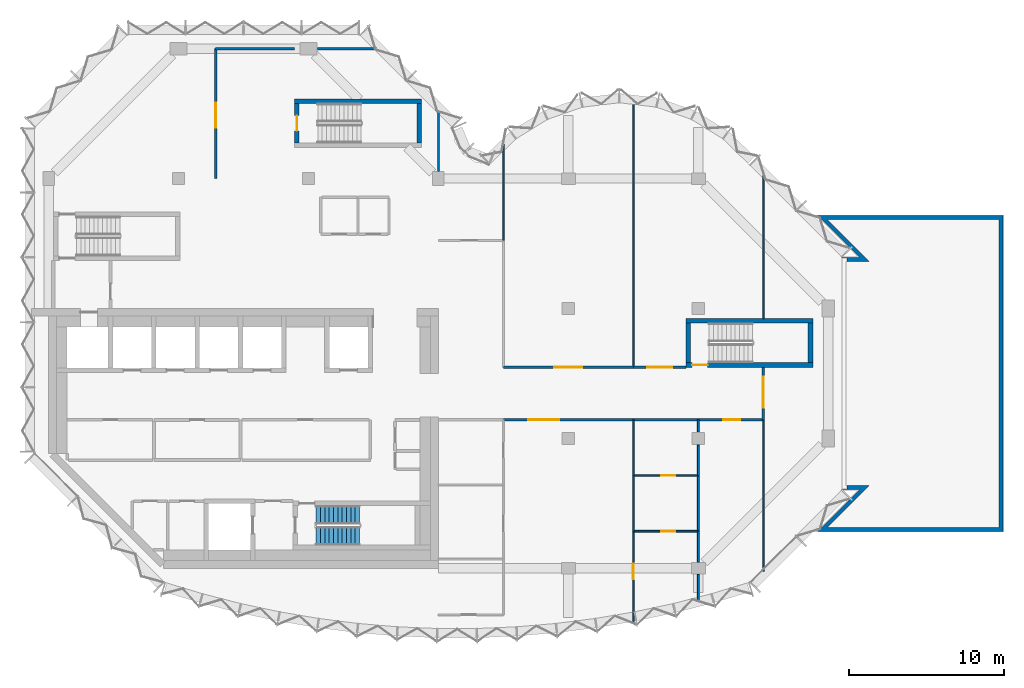
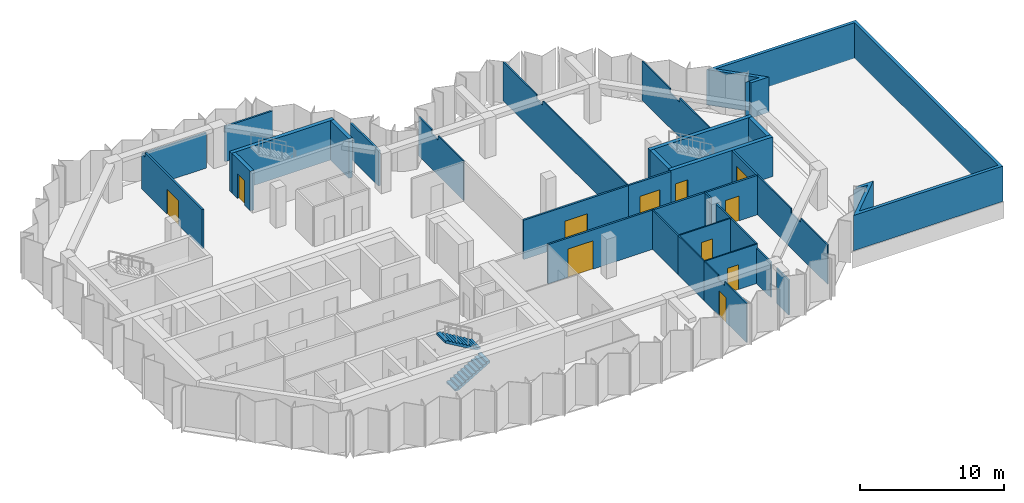
# One storey, part 6 of 9: 32 walls, 11 doors, 2 stair flights, 11 openings, 1 element without a shape of its own.
"""IFC4 building model written with IfcOpenShell, lengths in metres."""

from ifc_helpers import new_model, si_unit, direction, frame, frame_2d, origin, place, context, subcontext, project, spatial, polyline, rectangle, outline, extrude, material, layer, layer_set, type_object, element, fill, aggregate, save


model = new_model("IFC4")

# Units and contexts
model_context = context("Model", 3, precision=1e-05, world=origin(), true_north=direction((0.0, 1.0)))
body_context = subcontext(model_context, "Body", "Model", "MODEL_VIEW")
ifc_project = project(units=[si_unit("LENGTHUNIT", "METRE"), si_unit("AREAUNIT", "SQUARE_METRE"), si_unit("VOLUMEUNIT", "CUBIC_METRE"), si_unit("PLANEANGLEUNIT", "RADIAN"), si_unit("MASSUNIT", "GRAM", prefix="KILO")], contexts=[model_context])

# Site, building, storey
site_placement = place(None, origin())
site = spatial("IfcSite", under=ifc_project, at=site_placement, CompositionType="ELEMENT")
building_placement = place(site_placement, origin())
building = spatial("IfcBuilding", under=site, at=building_placement, Name="Brevane Broadcast Tower", CompositionType="ELEMENT")
storey_placement = place(building_placement, frame((0.0, 0.0, 222.89990234375)))
storey = spatial("IfcBuildingStorey", under=building, at=storey_placement, Name="L56", CompositionType="ELEMENT", Elevation=222.89990234375)

# Wall
ifc_material_1 = material(Name="Concrete C50/60", Category="concrete")
ifc_layer_1 = layer(ifc_material_1, 0.300048828125)
ifc_layer_set_1 = layer_set([ifc_layer_1], Name="Core wall 300 mm C50/60")
wall_type_1 = type_object("IfcWallType", Name="Core wall 300 mm C50/60", PredefinedType="SHEAR", material=ifc_layer_set_1)
wall_1_placement = place(storey_placement, frame((15.89990234375, 30.199951171875, 0.0), z_axis=(0.0, 0.0, 1.0), x_axis=(1.0, 0.0, 0.0)))
element("IfcWall", 1, at=wall_1_placement, inside=storey, type_object=wall_type_1, Name="L56 stair wall ST-3-N", PredefinedType="SHEAR", context=body_context, shape_type="SweptSolid", body=[
    extrude(rectangle(XDim=8.2001953125, YDim=0.300048828125, at=frame_2d((4.10009765625, 0.0))), origin(), (0.0, 0.0, 1.0), 3.35009765625),
])

# Wall, opening, door
wall_2_placement = place(storey_placement, frame((16.050048828125, 27.5, 0.0), z_axis=(0.0, 0.0, 1.0), x_axis=(0.0, 1.0, 0.0)))
wall_2 = element("IfcWall", 2, at=wall_2_placement, inside=storey, type_object=wall_type_1, Name="L56 stair wall ST-3-W", PredefinedType="SHEAR", context=body_context, shape_type="SweptSolid", body=[
    extrude(rectangle(XDim=2.550048828125, YDim=0.300048828125, at=frame_2d((1.27490234375, 0.0))), origin(), (0.0, 0.0, 1.0), 3.35009765625),
])
opening_1_placement = place(wall_2_placement, frame((0.77490234375, 0.0, 0.0)))
opening_1 = element("IfcOpeningElement", 3, at=opening_1_placement, cuts=wall_2, Name="Opening L56-K12", PredefinedType="OPENING", context=body_context, shape_type="SweptSolid", body=[
    extrude(rectangle(XDim=1.0, YDim=2.10009765625, at=frame_2d((0.5, 1.050048828125))), frame((0.0, 0.159912109375, 0.0), z_axis=(0.0, -1.0, 0.0), x_axis=(1.0, 0.0, 0.0)), (0.0, 0.0, 1.0), 0.320068359375),
])
ifc_material_2 = material(Name="Steel", Category="steel")
door_type_1 = type_object("IfcDoorType", Name="Stair door 1000 x 2100", OperationType="SINGLE_SWING_LEFT", PredefinedType="DOOR", material=ifc_material_2)
door_1_placement = place(opening_1_placement, origin())
door_1 = element("IfcDoor", 4, at=door_1_placement, inside=storey, type_object=door_type_1, Name="Door L56-K12", OperationType="SINGLE_SWING_LEFT", OverallHeight=2.10009765625, OverallWidth=1.0, PredefinedType="DOOR", context=body_context, shape_type="SweptSolid", body=[
    extrude(rectangle(XDim=1.0, YDim=2.10009765625, at=frame_2d((0.5, 1.050048828125))), frame((0.0, 0.02490234375, 0.0), z_axis=(0.0, -1.0, 0.0), x_axis=(1.0, 0.0, 0.0)), (0.0, 0.0, 1.0), 0.050048828125),
])
fill(opening_1, door_1)

# Wall
wall_3_placement = place(storey_placement, frame((23.949951171875, 27.5, 0.0), z_axis=(0.0, 0.0, 1.0), x_axis=(0.0, 1.0, 0.0)))
element("IfcWall", 5, at=wall_3_placement, inside=storey, type_object=wall_type_1, Name="L56 stair wall ST-3-E", PredefinedType="SHEAR", context=body_context, shape_type="SweptSolid", body=[
    extrude(rectangle(XDim=2.550048828125, YDim=0.300048828125, at=frame_2d((1.27490234375, 0.0))), origin(), (0.0, 0.0, 1.0), 3.35009765625),
])

# Wall, opening, door
wall_4_placement = place(storey_placement, frame((49.39990234375, 13.14990234375, 0.0), z_axis=(0.0, 0.0, 1.0), x_axis=(-1.0, 0.0, 0.0)))
wall_4 = element("IfcWall", 6, at=wall_4_placement, inside=storey, type_object=wall_type_1, Name="L56 stair wall ST-4-S", PredefinedType="SHEAR", context=body_context, shape_type="SweptSolid", body=[
    extrude(rectangle(XDim=8.199951171875, YDim=0.300048828125, at=frame_2d((4.10009765625, 0.0))), origin(), (0.0, 0.0, 1.0), 3.35009765625),
])
opening_2_placement = place(wall_4_placement, frame((6.800048828125, 0.0, 0.0)))
opening_2 = element("IfcOpeningElement", 7, at=opening_2_placement, cuts=wall_4, Name="Opening L56-K13", PredefinedType="OPENING", context=body_context, shape_type="SweptSolid", body=[
    extrude(rectangle(XDim=1.0, YDim=2.10009765625, at=frame_2d((0.5, 1.050048828125))), frame((0.0, 0.159912109375, 0.0), z_axis=(0.0, -1.0, 0.0), x_axis=(1.0, 0.0, 0.0)), (0.0, 0.0, 1.0), 0.320068359375),
])
door_2_placement = place(opening_2_placement, origin())
door_2 = element("IfcDoor", 8, at=door_2_placement, inside=storey, type_object=door_type_1, Name="Door L56-K13", OperationType="SINGLE_SWING_RIGHT", OverallHeight=2.10009765625, OverallWidth=1.0, PredefinedType="DOOR", context=body_context, shape_type="SweptSolid", body=[
    extrude(rectangle(XDim=1.0, YDim=2.10009765625, at=frame_2d((0.5, 1.050048828125))), frame((0.0, 0.02490234375, 0.0), z_axis=(0.0, -1.0, 0.0), x_axis=(1.0, 0.0, 0.0)), (0.0, 0.0, 1.0), 0.050048828125),
])
fill(opening_2, door_2)

# Walls
wall_5_placement = place(storey_placement, frame((41.199951171875, 16.0, 0.0), z_axis=(0.0, 0.0, 1.0), x_axis=(1.0, 0.0, 0.0)))
element("IfcWall", 9, at=wall_5_placement, inside=storey, type_object=wall_type_1, Name="L56 stair wall ST-4-N", PredefinedType="SHEAR", context=body_context, shape_type="SweptSolid", body=[
    extrude(rectangle(XDim=8.199951171875, YDim=0.300048828125, at=frame_2d((4.10009765625, 0.0))), origin(), (0.0, 0.0, 1.0), 3.35009765625),
])
for number, where, z_axis, x_axis, name in (
    (10, (41.35009765625, 13.300048828125, 0.0), (0.0, 0.0, 1.0), (0.0, 1.0, 0.0), "L56 stair wall ST-4-W"),
    (11, (49.25, 13.300048828125, 0.0), (0.0, 0.0, 1.0), (0.0, 1.0, 0.0), "L56 stair wall ST-4-E"),
):
    element("IfcWall", number, at=place(storey_placement, frame(where, z_axis=z_axis, x_axis=x_axis)), inside=storey, type_object=wall_type_1, Name=name, PredefinedType="SHEAR", context=body_context, shape_type="SweptSolid", body=[
        extrude(rectangle(XDim=2.550048828125, YDim=0.300048828125, at=frame_2d((1.27490234375, 0.0))), origin(), (0.0, 0.0, 1.0), 3.35009765625),
    ])
ifc_material_3 = material(Name="Gypsum board partition")
ifc_layer_2 = layer(ifc_material_3, 0.10009765625)
ifc_layer_set_2 = layer_set([ifc_layer_2], Name="PARTITION 100 STUD")
wall_type_2 = type_object("IfcWallType", Name="PARTITION 100 STUD", PredefinedType="PARTITIONING", material=ifc_layer_set_2)
wall_6_placement = place(storey_placement, frame((29.39990234375, 27.428955078125, 0.0), z_axis=(0.0, 0.0, 1.0), x_axis=(0.0, -1.0, 0.0)))
element("IfcWall", 12, at=wall_6_placement, inside=storey, type_object=wall_type_2, Name="Partition G17-004", PredefinedType="PARTITIONING", context=body_context, shape_type="SweptSolid", body=[
    extrude(outline(polyline([(0.0, 0.0), (6.22900390625, 0.0), (6.22900390625, 3.330078125), (2.678955078125, 3.330078125), (2.677001953125, 2.97998046875), (1.781005859375, 2.97998046875), (1.779052734375, 3.330078125), (0.154052734375, 3.330078125), (0.0, 3.330078125), (0.0, 0.0)])), frame((0.0, 0.050048828125, 0.0), z_axis=(0.0, -1.0, 0.0), x_axis=(1.0, 0.0, 0.0)), (0.0, 0.0, 1.0), 0.10009765625),
])
wall_7_placement = place(storey_placement, frame((46.199951171875, -0.199951171875, 0.0), z_axis=(0.0, 0.0, 1.0), x_axis=(0.0, 1.0, 0.0)))
element("IfcWall", 13, at=wall_7_placement, inside=storey, type_object=wall_type_2, Name="Partition G17-012", PredefinedType="PARTITIONING", context=body_context, shape_type="SweptSolid", body=[
    extrude(outline(polyline([(0.0, 0.0), (9.800048828125, 0.0), (9.800048828125, 3.330078125), (5.065673828125, 3.330078125), (5.063720703125, 2.97998046875), (3.736328125, 2.97998046875), (3.734375, 3.330078125), (0.0, 3.330078125), (0.0, 0.0)])), frame((0.0, 0.050048828125, 0.0), z_axis=(0.0, -1.0, 0.0), x_axis=(1.0, 0.0, 0.0)), (0.0, 0.0, 1.0), 0.10009765625),
])
wall_8_placement = place(storey_placement, frame((46.199951171875, 16.14990234375, 0.0), z_axis=(0.0, 0.0, 1.0), x_axis=(0.0, 1.0, 0.0)))
element("IfcWall", 14, at=wall_8_placement, inside=storey, type_object=wall_type_2, Name="Partition G17-013", PredefinedType="PARTITIONING", context=body_context, shape_type="SweptSolid", body=[
    extrude(outline(polyline([(0.0, 0.0), (9.3525390625, 0.0), (9.3525390625, 3.330078125), (9.25, 3.330078125), (5.515625, 3.330078125), (5.513671875, 2.97998046875), (4.186279296875, 2.97998046875), (4.184326171875, 3.330078125), (0.0, 3.330078125), (0.0, 0.0)])), frame((0.0, 0.050048828125, 0.0), z_axis=(0.0, -1.0, 0.0), x_axis=(1.0, 0.0, 0.0)), (0.0, 0.0, 1.0), 0.10009765625),
])

# Wall, opening, door
wall_9_placement = place(storey_placement, frame((37.800048828125, 2.39990234375, 0.0), z_axis=(0.0, 0.0, 1.0), x_axis=(0.0, -1.0, 0.0)))
wall_9 = element("IfcWall", 15, at=wall_9_placement, inside=storey, type_object=wall_type_2, Name="Partition G17-014", PredefinedType="PARTITIONING", context=body_context, shape_type="SweptSolid", body=[
    extrude(outline(polyline([(0.0, 0.0), (5.905517578125, 0.0), (5.905517578125, 3.330078125), (5.42236328125, 3.330078125), (2.85009765625, 3.330078125), (2.847900390625, 2.97998046875), (1.951904296875, 2.97998046875), (1.949951171875, 3.330078125), (0.0, 3.330078125), (0.0, 0.0)])), frame((0.0, 0.050048828125, 0.0), z_axis=(0.0, -1.0, 0.0), x_axis=(1.0, 0.0, 0.0)), (0.0, 0.0, 1.0), 0.10009765625),
])
opening_3_placement = place(wall_9_placement, frame((2.10009765625, 0.0, 0.0)))
opening_3 = element("IfcOpeningElement", 16, at=opening_3_placement, cuts=wall_9, Name="Opening D28-004", PredefinedType="OPENING", context=body_context, shape_type="SweptSolid", body=[
    extrude(rectangle(XDim=1.0, YDim=2.10009765625, at=frame_2d((0.5, 1.050048828125))), frame((0.0, 0.06005859375, 0.0), z_axis=(0.0, -1.0, 0.0), x_axis=(1.0, 0.0, 0.0)), (0.0, 0.0, 1.0), 0.1201171875),
])
ifc_material_4 = material(Name="Timber door leaf", Category="wood")
door_type_2 = type_object("IfcDoorType", Name="DOOR SINGLE 1000 INTERNAL", OperationType="SINGLE_SWING_LEFT", PredefinedType="DOOR", material=ifc_material_4)
door_3_placement = place(opening_3_placement, origin())
door_3 = element("IfcDoor", 17, at=door_3_placement, inside=storey, type_object=door_type_2, Name="Door D28-004", OperationType="SINGLE_SWING_LEFT", OverallHeight=2.10009765625, OverallWidth=1.0, PredefinedType="DOOR", context=body_context, shape_type="SweptSolid", body=[
    extrude(rectangle(XDim=1.0, YDim=2.10009765625, at=frame_2d((0.5, 1.050048828125))), frame((0.0, 0.02490234375, 0.0), z_axis=(0.0, -1.0, 0.0), x_axis=(1.0, 0.0, 0.0)), (0.0, 0.0, 1.0), 0.050048828125),
])
fill(opening_3, door_3)

# Walls
for number, where, z_axis, x_axis, name in (
    (18, (37.800048828125, 6.0, 0.0), (0.0, 0.0, 1.0), (0.0, -1.0, 0.0), "Partition G17-015"),
    (19, (37.800048828125, 9.60009765625, 0.0), (0.0, 0.0, 1.0), (0.0, -1.0, 0.0), "Partition G17-016"),
):
    element("IfcWall", number, at=place(storey_placement, frame(where, z_axis=z_axis, x_axis=x_axis)), inside=storey, type_object=wall_type_2, Name=name, PredefinedType="PARTITIONING", context=body_context, shape_type="SweptSolid", body=[
        extrude(rectangle(XDim=3.60009765625, YDim=0.10009765625, at=frame_2d((1.800048828125, 0.0))), origin(), (0.0, 0.0, 1.0), 3.330078125),
    ])

# Wall, opening, door
wall_10_placement = place(storey_placement, frame((37.800048828125, 2.39990234375, 0.0), z_axis=(0.0, 0.0, 1.0), x_axis=(1.0, 0.0, 0.0)))
wall_10 = element("IfcWall", 20, at=wall_10_placement, inside=storey, type_object=wall_type_2, Name="Partition G17-021", PredefinedType="PARTITIONING", context=body_context, shape_type="SweptSolid", body=[
    extrude(rectangle(XDim=4.199951171875, YDim=0.10009765625, at=frame_2d((2.10009765625, 0.0))), origin(), (0.0, 0.0, 1.0), 3.330078125),
])
opening_4_placement = place(wall_10_placement, frame((1.800048828125, 0.0, 0.0)))
opening_4 = element("IfcOpeningElement", 21, at=opening_4_placement, cuts=wall_10, Name="Opening D28-005", PredefinedType="OPENING", context=body_context, shape_type="SweptSolid", body=[
    extrude(rectangle(XDim=0.89990234375, YDim=2.10009765625, at=frame_2d((0.449951171875, 1.050048828125))), frame((0.0, 0.06005859375, 0.0), z_axis=(0.0, -1.0, 0.0), x_axis=(1.0, 0.0, 0.0)), (0.0, 0.0, 1.0), 0.1201171875),
])
door_type_3 = type_object("IfcDoorType", Name="DOOR SINGLE 900 INTERNAL", OperationType="SINGLE_SWING_LEFT", PredefinedType="DOOR", material=ifc_material_4)
door_4_placement = place(opening_4_placement, origin())
door_4 = element("IfcDoor", 22, at=door_4_placement, inside=storey, type_object=door_type_3, Name="Door D28-005", OperationType="SINGLE_SWING_LEFT", OverallHeight=2.10009765625, OverallWidth=0.89990234375, PredefinedType="DOOR", context=body_context, shape_type="SweptSolid", body=[
    extrude(rectangle(XDim=0.89990234375, YDim=2.10009765625, at=frame_2d((0.449951171875, 1.050048828125))), frame((0.0, 0.02490234375, 0.0), z_axis=(0.0, -1.0, 0.0), x_axis=(1.0, 0.0, 0.0)), (0.0, 0.0, 1.0), 0.050048828125),
])
fill(opening_4, door_4)

wall_11_placement = place(storey_placement, frame((37.800048828125, 6.0, 0.0), z_axis=(0.0, 0.0, 1.0), x_axis=(1.0, 0.0, 0.0)))
wall_11 = element("IfcWall", 23, at=wall_11_placement, inside=storey, type_object=wall_type_2, Name="Partition G17-024", PredefinedType="PARTITIONING", context=body_context, shape_type="SweptSolid", body=[
    extrude(rectangle(XDim=4.199951171875, YDim=0.10009765625, at=frame_2d((2.10009765625, 0.0))), origin(), (0.0, 0.0, 1.0), 3.330078125),
])
opening_5_placement = place(wall_11_placement, frame((1.800048828125, 0.0, 0.0)))
opening_5 = element("IfcOpeningElement", 24, at=opening_5_placement, cuts=wall_11, Name="Opening D28-006", PredefinedType="OPENING", context=body_context, shape_type="SweptSolid", body=[
    extrude(rectangle(XDim=0.89990234375, YDim=2.10009765625, at=frame_2d((0.449951171875, 1.050048828125))), frame((0.0, 0.06005859375, 0.0), z_axis=(0.0, -1.0, 0.0), x_axis=(1.0, 0.0, 0.0)), (0.0, 0.0, 1.0), 0.1201171875),
])
door_5_placement = place(opening_5_placement, origin())
door_5 = element("IfcDoor", 25, at=door_5_placement, inside=storey, type_object=door_type_3, Name="Door D28-006", OperationType="SINGLE_SWING_LEFT", OverallHeight=2.10009765625, OverallWidth=0.89990234375, PredefinedType="DOOR", context=body_context, shape_type="SweptSolid", body=[
    extrude(rectangle(XDim=0.89990234375, YDim=2.10009765625, at=frame_2d((0.449951171875, 1.050048828125))), frame((0.0, 0.02490234375, 0.0), z_axis=(0.0, -1.0, 0.0), x_axis=(1.0, 0.0, 0.0)), (0.0, 0.0, 1.0), 0.050048828125),
])
fill(opening_5, door_5)

# Walls
wall_12_placement = place(storey_placement, frame((37.800048828125, 30.24267578125, 0.0), z_axis=(0.0, 0.0, 1.0), x_axis=(0.0, -1.0, 0.0)))
element("IfcWall", 26, at=wall_12_placement, inside=storey, type_object=wall_type_2, Name="Partition G17-030", PredefinedType="PARTITIONING", context=body_context, shape_type="SweptSolid", body=[
    extrude(outline(polyline([(0.0, 0.0), (17.24267578125, 0.0), (17.24267578125, 3.330078125), (5.49267578125, 3.330078125), (5.49072265625, 2.97998046875), (4.5947265625, 2.97998046875), (4.5927734375, 3.330078125), (0.0, 3.330078125), (0.0, 0.0)])), frame((0.0, 0.050048828125, 0.0), z_axis=(0.0, -1.0, 0.0), x_axis=(1.0, 0.0, 0.0)), (0.0, 0.0, 1.0), 0.10009765625),
])
ifc_layer_3 = layer(ifc_material_3, 0.125)
ifc_layer_set_3 = layer_set([ifc_layer_3], Name="PARTITION 125 ACOUSTIC")
wall_type_3 = type_object("IfcWallType", Name="PARTITION 125 ACOUSTIC", PredefinedType="PARTITIONING", material=ifc_layer_set_3)
wall_13_placement = place(storey_placement, frame((42.0, 2.39990234375, 0.0), z_axis=(0.0, 0.0, 1.0), x_axis=(0.0, -1.0, 0.0)))
element("IfcWall", 27, at=wall_13_placement, inside=storey, type_object=wall_type_3, Name="Partition G17-022", PredefinedType="PARTITIONING", context=body_context, shape_type="SweptSolid", body=[
    extrude(rectangle(XDim=2.0048828125, YDim=0.125, at=frame_2d((1.00244140625, 0.0))), origin(), (0.0, 0.0, 1.0), 2.97998046875),
])
wall_14_placement = place(storey_placement, frame((42.0, -0.39501953125, 0.0), z_axis=(0.0, 0.0, 1.0), x_axis=(0.0, -1.0, 0.0)))
element("IfcWall", 28, at=wall_14_placement, inside=storey, type_object=wall_type_3, Name="Partition G17-023", PredefinedType="PARTITIONING", context=body_context, shape_type="SweptSolid", body=[
    extrude(rectangle(XDim=1.673828125, YDim=0.125, at=frame_2d((0.8369140625, 0.0))), origin(), (0.0, 0.0, 1.0), 2.97998046875),
])
wall_15_placement = place(storey_placement, frame((42.0, 6.0, 0.0), z_axis=(0.0, 0.0, 1.0), x_axis=(0.0, -1.0, 0.0)))
element("IfcWall", 29, at=wall_15_placement, inside=storey, type_object=wall_type_3, Name="Partition G17-025", PredefinedType="PARTITIONING", context=body_context, shape_type="SweptSolid", body=[
    extrude(rectangle(XDim=3.60009765625, YDim=0.125, at=frame_2d((1.800048828125, 0.0))), origin(), (0.0, 0.0, 1.0), 3.330078125),
])
wall_16_placement = place(storey_placement, frame((42.0, 9.60009765625, 0.0), z_axis=(0.0, 0.0, 1.0), x_axis=(0.0, -1.0, 0.0)))
element("IfcWall", 30, at=wall_16_placement, inside=storey, type_object=wall_type_3, Name="Partition G17-026", PredefinedType="PARTITIONING", context=body_context, shape_type="SweptSolid", body=[
    extrude(rectangle(XDim=0.780029296875, YDim=0.125, at=frame_2d((0.39013671875, 0.0))), origin(), (0.0, 0.0, 1.0), 3.330078125),
])
wall_17_placement = place(storey_placement, frame((42.0, 7.97998046875, 0.0), z_axis=(0.0, 0.0, 1.0), x_axis=(0.0, -1.0, 0.0)))
element("IfcWall", 31, at=wall_17_placement, inside=storey, type_object=wall_type_3, Name="Partition G17-027", PredefinedType="PARTITIONING", context=body_context, shape_type="SweptSolid", body=[
    extrude(rectangle(XDim=1.97998046875, YDim=0.125, at=frame_2d((0.989990234375, 0.0))), origin(), (0.0, 0.0, 1.0), 3.330078125),
])
ifc_layer_4 = layer(ifc_material_3, 0.14990234375)
ifc_layer_set_4 = layer_set([ifc_layer_4], Name="PARTITION 150 EI 60")
wall_type_4 = type_object("IfcWallType", Name="PARTITION 150 EI 60", PredefinedType="PARTITIONING", material=ifc_layer_set_4)
wall_18_placement = place(storey_placement, frame((25.199951171875, 25.669921875, 0.0), z_axis=(0.0, 0.0, 1.0), x_axis=(0.0, 1.0, 0.0)))
element("IfcWall", 32, at=wall_18_placement, inside=storey, type_object=wall_type_4, Name="Partition G17-005", PredefinedType="PARTITIONING", context=body_context, shape_type="SweptSolid", body=[
    extrude(rectangle(XDim=3.93017578125, YDim=0.14990234375, at=frame_2d((1.965087890625, 0.0))), origin(), (0.0, 0.0, 1.0), 2.97998046875),
])

# Wall, opening, door
wall_19_placement = place(storey_placement, frame((46.199951171875, 13.0, 0.0), z_axis=(0.0, 0.0, 1.0), x_axis=(0.0, -1.0, 0.0)))
wall_19 = element("IfcWall", 33, at=wall_19_placement, inside=storey, type_object=wall_type_4, Name="Partition G17-006", PredefinedType="PARTITIONING", context=body_context, shape_type="SweptSolid", body=[
    extrude(rectangle(XDim=3.39990234375, YDim=0.14990234375, at=frame_2d((1.699951171875, 0.0))), origin(), (0.0, 0.0, 1.0), 3.330078125),
])
opening_6_placement = place(wall_19_placement, frame((0.60009765625, 0.0, 0.0)))
opening_6 = element("IfcOpeningElement", 34, at=opening_6_placement, cuts=wall_19, Name="Opening D28-002", PredefinedType="OPENING", context=body_context, shape_type="SweptSolid", body=[
    extrude(rectangle(XDim=2.0, YDim=2.39990234375, at=frame_2d((1.0, 1.199951171875))), frame((0.0, 0.0849609375, 0.0), z_axis=(0.0, -1.0, 0.0), x_axis=(1.0, 0.0, 0.0)), (0.0, 0.0, 1.0), 0.169921875),
])
ifc_material_5 = material(Name="Fire-rated timber door leaf", Category="wood")
door_type_4 = type_object("IfcDoorType", Name="DOOR DOUBLE 2000 FD30S", OperationType="DOUBLE_DOOR_SINGLE_SWING", PredefinedType="DOOR", material=ifc_material_5)
door_6_placement = place(opening_6_placement, origin())
door_6 = element("IfcDoor", 35, at=door_6_placement, inside=storey, type_object=door_type_4, Name="Door D28-002", OperationType="DOUBLE_DOOR_SINGLE_SWING", OverallHeight=2.39990234375, OverallWidth=2.0, PredefinedType="DOOR", context=body_context, shape_type="SweptSolid", body=[
    extrude(rectangle(XDim=2.0, YDim=2.39990234375, at=frame_2d((1.0, 1.199951171875))), frame((0.0, 0.02490234375, 0.0), z_axis=(0.0, -1.0, 0.0), x_axis=(1.0, 0.0, 0.0)), (0.0, 0.0, 1.0), 0.050048828125),
])
fill(opening_6, door_6)

wall_20_placement = place(storey_placement, frame((37.800048828125, 9.60009765625, 0.0), z_axis=(0.0, 0.0, 1.0), x_axis=(-1.0, 0.0, 0.0)))
wall_20 = element("IfcWall", 36, at=wall_20_placement, inside=storey, type_object=wall_type_4, Name="Partition G17-007", PredefinedType="PARTITIONING", context=body_context, shape_type="SweptSolid", body=[
    extrude(rectangle(XDim=8.400146484375, YDim=0.14990234375, at=frame_2d((4.2001953125, 0.0))), origin(), (0.0, 0.0, 1.0), 3.330078125),
])
opening_7_placement = place(wall_20_placement, frame((4.800048828125, 0.0, 0.0)))
opening_7 = element("IfcOpeningElement", 37, at=opening_7_placement, cuts=wall_20, Name="Opening D28-003", PredefinedType="OPENING", context=body_context, shape_type="SweptSolid", body=[
    extrude(rectangle(XDim=2.0, YDim=2.39990234375, at=frame_2d((1.0, 1.199951171875))), frame((0.0, 0.0849609375, 0.0), z_axis=(0.0, -1.0, 0.0), x_axis=(1.0, 0.0, 0.0)), (0.0, 0.0, 1.0), 0.169921875),
])
door_7_placement = place(opening_7_placement, origin())
door_7 = element("IfcDoor", 38, at=door_7_placement, inside=storey, type_object=door_type_4, Name="Door D28-003", OperationType="DOUBLE_DOOR_SINGLE_SWING", OverallHeight=2.39990234375, OverallWidth=2.0, PredefinedType="DOOR", context=body_context, shape_type="SweptSolid", body=[
    extrude(rectangle(XDim=2.0, YDim=2.39990234375, at=frame_2d((1.0, 1.199951171875))), frame((0.0, 0.02490234375, 0.0), z_axis=(0.0, -1.0, 0.0), x_axis=(1.0, 0.0, 0.0)), (0.0, 0.0, 1.0), 0.050048828125),
])
fill(opening_7, door_7)

# Wall
wall_21_placement = place(storey_placement, frame((42.0, 9.60009765625, 0.0), z_axis=(0.0, 0.0, 1.0), x_axis=(-1.0, 0.0, 0.0)))
element("IfcWall", 39, at=wall_21_placement, inside=storey, type_object=wall_type_4, Name="Partition G17-008", PredefinedType="PARTITIONING", context=body_context, shape_type="SweptSolid", body=[
    extrude(rectangle(XDim=4.199951171875, YDim=0.14990234375, at=frame_2d((2.10009765625, 0.0))), origin(), (0.0, 0.0, 1.0), 3.330078125),
])

# Wall, opening, door
wall_22_placement = place(storey_placement, frame((46.199951171875, 9.60009765625, 0.0), z_axis=(0.0, 0.0, 1.0), x_axis=(-1.0, 0.0, 0.0)))
wall_22 = element("IfcWall", 40, at=wall_22_placement, inside=storey, type_object=wall_type_4, Name="Partition G17-009", PredefinedType="PARTITIONING", context=body_context, shape_type="SweptSolid", body=[
    extrude(rectangle(XDim=4.199951171875, YDim=0.14990234375, at=frame_2d((2.10009765625, 0.0))), origin(), (0.0, 0.0, 1.0), 3.330078125),
])
opening_8_placement = place(wall_22_placement, frame((1.5, 0.0, 0.0)))
opening_8 = element("IfcOpeningElement", 41, at=opening_8_placement, cuts=wall_22, Name="Opening D28-010", PredefinedType="OPENING", context=body_context, shape_type="SweptSolid", body=[
    extrude(rectangle(XDim=1.10009765625, YDim=2.10009765625, at=frame_2d((0.550048828125, 1.050048828125))), frame((0.0, 0.0849609375, 0.0), z_axis=(0.0, -1.0, 0.0), x_axis=(1.0, 0.0, 0.0)), (0.0, 0.0, 1.0), 0.169921875),
])
door_type_5 = type_object("IfcDoorType", Name="DOOR SINGLE 1100 FD30S", OperationType="SINGLE_SWING_LEFT", PredefinedType="DOOR", material=ifc_material_5)
door_8_placement = place(opening_8_placement, origin())
door_8 = element("IfcDoor", 42, at=door_8_placement, inside=storey, type_object=door_type_5, Name="Door D28-010", OperationType="SINGLE_SWING_LEFT", OverallHeight=2.10009765625, OverallWidth=1.10009765625, PredefinedType="DOOR", context=body_context, shape_type="SweptSolid", body=[
    extrude(rectangle(XDim=1.10009765625, YDim=2.10009765625, at=frame_2d((0.550048828125, 1.050048828125))), frame((0.0, 0.02490234375, 0.0), z_axis=(0.0, -1.0, 0.0), x_axis=(1.0, 0.0, 0.0)), (0.0, 0.0, 1.0), 0.050048828125),
])
fill(opening_8, door_8)

wall_23_placement = place(storey_placement, frame((29.39990234375, 13.0, 0.0), z_axis=(0.0, 0.0, 1.0), x_axis=(1.0, 0.0, 0.0)))
wall_23 = element("IfcWall", 43, at=wall_23_placement, inside=storey, type_object=wall_type_4, Name="Partition G17-010", PredefinedType="PARTITIONING", context=body_context, shape_type="SweptSolid", body=[
    extrude(rectangle(XDim=8.400146484375, YDim=0.14990234375, at=frame_2d((4.2001953125, 0.0))), origin(), (0.0, 0.0, 1.0), 3.330078125),
])
opening_9_placement = place(wall_23_placement, frame((3.300048828125, 0.0, 0.0)))
opening_9 = element("IfcOpeningElement", 44, at=opening_9_placement, cuts=wall_23, Name="Opening D28-011", PredefinedType="OPENING", context=body_context, shape_type="SweptSolid", body=[
    extrude(rectangle(XDim=1.800048828125, YDim=2.10009765625, at=frame_2d((0.89990234375, 1.050048828125))), frame((0.0, 0.0849609375, 0.0), z_axis=(0.0, -1.0, 0.0), x_axis=(1.0, 0.0, 0.0)), (0.0, 0.0, 1.0), 0.169921875),
])
door_type_6 = type_object("IfcDoorType", Name="DOOR DOUBLE 1800 FD30S", OperationType="DOUBLE_DOOR_SINGLE_SWING", PredefinedType="DOOR", material=ifc_material_5)
door_9_placement = place(opening_9_placement, origin())
door_9 = element("IfcDoor", 45, at=door_9_placement, inside=storey, type_object=door_type_6, Name="Door D28-011", OperationType="DOUBLE_DOOR_SINGLE_SWING", OverallHeight=2.10009765625, OverallWidth=1.800048828125, PredefinedType="DOOR", context=body_context, shape_type="SweptSolid", body=[
    extrude(rectangle(XDim=1.800048828125, YDim=2.10009765625, at=frame_2d((0.89990234375, 1.050048828125))), frame((0.0, 0.02490234375, 0.0), z_axis=(0.0, -1.0, 0.0), x_axis=(1.0, 0.0, 0.0)), (0.0, 0.0, 1.0), 0.050048828125),
])
fill(opening_9, door_9)

wall_24_placement = place(storey_placement, frame((37.800048828125, 13.0, 0.0), z_axis=(0.0, 0.0, 1.0), x_axis=(1.0, 0.0, 0.0)))
wall_24 = element("IfcWall", 46, at=wall_24_placement, inside=storey, type_object=wall_type_4, Name="Partition G17-011", PredefinedType="PARTITIONING", context=body_context, shape_type="SweptSolid", body=[
    extrude(rectangle(XDim=3.39990234375, YDim=0.14990234375, at=frame_2d((1.699951171875, 0.0))), origin(), (0.0, 0.0, 1.0), 3.330078125),
])
opening_10_placement = place(wall_24_placement, frame((0.89990234375, 0.0, 0.0)))
opening_10 = element("IfcOpeningElement", 47, at=opening_10_placement, cuts=wall_24, Name="Opening D28-012", PredefinedType="OPENING", context=body_context, shape_type="SweptSolid", body=[
    extrude(rectangle(XDim=1.60009765625, YDim=2.10009765625, at=frame_2d((0.800048828125, 1.050048828125))), frame((0.0, 0.0849609375, 0.0), z_axis=(0.0, -1.0, 0.0), x_axis=(1.0, 0.0, 0.0)), (0.0, 0.0, 1.0), 0.169921875),
])
door_type_7 = type_object("IfcDoorType", Name="DOOR DOUBLE 1600 FD30S", OperationType="DOUBLE_DOOR_SINGLE_SWING", PredefinedType="DOOR", material=ifc_material_5)
door_10_placement = place(opening_10_placement, origin())
door_10 = element("IfcDoor", 48, at=door_10_placement, inside=storey, type_object=door_type_7, Name="Door D28-012", OperationType="DOUBLE_DOOR_SINGLE_SWING", OverallHeight=2.10009765625, OverallWidth=1.60009765625, PredefinedType="DOOR", context=body_context, shape_type="SweptSolid", body=[
    extrude(rectangle(XDim=1.60009765625, YDim=2.10009765625, at=frame_2d((0.800048828125, 1.050048828125))), frame((0.0, 0.02490234375, 0.0), z_axis=(0.0, -1.0, 0.0), x_axis=(1.0, 0.0, 0.0)), (0.0, 0.0, 1.0), 0.050048828125),
])
fill(opening_10, door_10)

wall_25_placement = place(storey_placement, frame((10.800048828125, 25.199951171875, 0.0), z_axis=(0.0, 0.0, 1.0), x_axis=(0.0, 1.0, 0.0)))
wall_25 = element("IfcWall", 49, at=wall_25_placement, inside=storey, type_object=wall_type_4, Name="Partition G17-031", PredefinedType="PARTITIONING", context=body_context, shape_type="SweptSolid", body=[
    extrude(outline(polyline([(0.0, 0.0), (8.400146484375, 0.0), (8.39990234375, 2.97998046875), (7.951904296875, 2.97998046875), (7.949951171875, 3.330078125), (0.0, 3.330078125), (0.0, 0.0)])), frame((0.0, 0.074951171875, 0.0), z_axis=(0.0, -1.0, 0.0), x_axis=(1.0, 0.0, 0.0)), (0.0, 0.0, 1.0), 0.14990234375),
])
opening_11_placement = place(wall_25_placement, frame((3.300048828125, 0.0, 0.0)))
opening_11 = element("IfcOpeningElement", 50, at=opening_11_placement, cuts=wall_25, Name="Opening D28-013", PredefinedType="OPENING", context=body_context, shape_type="SweptSolid", body=[
    extrude(rectangle(XDim=1.60009765625, YDim=2.10009765625, at=frame_2d((0.800048828125, 1.050048828125))), frame((0.0, 0.0849609375, 0.0), z_axis=(0.0, -1.0, 0.0), x_axis=(1.0, 0.0, 0.0)), (0.0, 0.0, 1.0), 0.169921875),
])
door_11_placement = place(opening_11_placement, origin())
door_11 = element("IfcDoor", 51, at=door_11_placement, inside=storey, type_object=door_type_7, Name="Door D28-013", OperationType="DOUBLE_DOOR_SINGLE_SWING", OverallHeight=2.10009765625, OverallWidth=1.60009765625, PredefinedType="DOOR", context=body_context, shape_type="SweptSolid", body=[
    extrude(rectangle(XDim=1.60009765625, YDim=2.10009765625, at=frame_2d((0.800048828125, 1.050048828125))), frame((0.0, 0.02490234375, 0.0), z_axis=(0.0, -1.0, 0.0), x_axis=(1.0, 0.0, 0.0)), (0.0, 0.0, 1.0), 0.050048828125),
])
fill(opening_11, door_11)

# Walls
wall_26_placement = place(storey_placement, frame((10.800048828125, 33.60009765625, 0.0), z_axis=(0.0, 0.0, 1.0), x_axis=(1.0, 0.0, 0.0)))
element("IfcWall", 52, at=wall_26_placement, inside=storey, type_object=wall_type_4, Name="Partition G17-032", PredefinedType="PARTITIONING", context=body_context, shape_type="SweptSolid", body=[
    extrude(outline(polyline([(0.0, 0.0), (5.099853515625, 0.0), (5.10009765625, 2.97998046875), (0.0, 2.97998046875), (0.0, 0.0)])), frame((0.0, 0.074951171875, 0.0), z_axis=(0.0, -1.0, 0.0), x_axis=(1.0, 0.0, 0.0)), (0.0, 0.0, 1.0), 0.14990234375),
])
wall_27_placement = place(storey_placement, frame((17.3701171875, 33.60009765625, 0.0), z_axis=(0.0, 0.0, 1.0), x_axis=(1.0, 0.0, 0.0)))
element("IfcWall", 53, at=wall_27_placement, inside=storey, type_object=wall_type_4, Name="Partition G17-033", PredefinedType="PARTITIONING", context=body_context, shape_type="SweptSolid", body=[
    extrude(rectangle(XDim=3.829833984375, YDim=0.14990234375, at=frame_2d((1.9150390625, 0.0))), origin(), (0.0, 0.0, 1.0), 2.97998046875),
])
ifc_material_6 = material(Name="Concrete C40/50", Category="concrete")
ifc_layer_5 = layer(ifc_material_6, 0.25)
ifc_layer_set_5 = layer_set([ifc_layer_5], Name="Pool tank wall 250")
wall_type_5 = type_object("IfcWallType", Name="Pool tank wall 250", PredefinedType="PARAPET", material=ifc_layer_set_5)
wall_28_placement = place(storey_placement, origin())
element("IfcWall", 54, at=wall_28_placement, inside=storey, type_object=wall_type_5, Name="Pool tank wall", PredefinedType="PARAPET", context=body_context, shape_type="SweptSolid", body=[
    extrude(outline(polyline([(52.431396484375, 5.10009765625), (49.7314453125, 2.39990234375), (61.699951171875, 2.39990234375), (61.699951171875, 22.800048828125), (49.7314453125, 22.800048828125), (52.431396484375, 20.10009765625), (51.300048828125, 20.10009765625), (51.300048828125, 20.080078125), (51.60009765625, 20.080078125), (51.60009765625, 19.85009765625), (53.034912109375, 19.85009765625), (50.3349609375, 22.550048828125), (61.449951171875, 22.550048828125), (61.449951171875, 2.64990234375), (50.3349609375, 2.64990234375), (53.034912109375, 5.35009765625), (51.60009765625, 5.35009765625), (51.60009765625, 5.1201171875), (51.300048828125, 5.1201171875), (51.300048828125, 5.10009765625), (52.431396484375, 5.10009765625)])), origin(), (0.0, 0.0, 1.0), 3.0),
])

# Stair, stair flights
stair_type = type_object("IfcStairType", Name="Exit stair 22 risers", PredefinedType="HALF_TURN_STAIR", material=ifc_material_1)
stair_placement = place(storey_placement, origin())
stair = element("IfcStair", 55, at=stair_placement, inside=storey, type_object=stair_type, Name="L56 Exit stair ST-2", PredefinedType="HALF_TURN_STAIR")
stair_flight_type = type_object("IfcStairFlightType", Name="Exit stair flight 22 risers", PredefinedType="STRAIGHT", material=ifc_material_1)
stair_flight_1_placement = place(storey_placement, frame((17.300048828125, 2.10009765625, 0.0), z_axis=(0.0, 0.0, 1.0), x_axis=(1.0, 0.0, 0.0)))
stair_flight_1 = element("IfcStairFlight", 56, at=stair_flight_1_placement, type_object=stair_flight_type, Name="ST-2 flight 1", NumberOfRisers=11, NumberOfTreads=10, PredefinedType="STRAIGHT", RiserHeight=0.163636364, TreadLength=0.28, context=body_context, shape_type="SweptSolid", body=[
    extrude(outline(polyline([(0.0, 0.0), (0.0, 0.16357421875), (0.280029296875, 0.16357421875), (0.280029296875, 0.327392578125), (0.56005859375, 0.327392578125), (0.56005859375, 0.490966796875), (0.840087890625, 0.490966796875), (0.840087890625, 0.654541015625), (1.1201171875, 0.654541015625), (1.1201171875, 0.818115234375), (1.39990234375, 0.818115234375), (1.39990234375, 0.98193359375), (1.679931640625, 0.98193359375), (1.679931640625, 1.1455078125), (1.9599609375, 1.1455078125), (1.9599609375, 1.30908203125), (2.239990234375, 1.30908203125), (2.239990234375, 1.47265625), (2.52001953125, 1.47265625), (2.52001953125, 1.636474609375), (2.800048828125, 1.636474609375), (2.800048828125, 1.800048828125), (2.800048828125, 1.462646484375), (0.297119140625, 0.0), (0.0, 0.0)])), frame((0.0, 0.60009765625, 0.0), z_axis=(0.0, -1.0, 0.0), x_axis=(1.0, 0.0, 0.0)), (0.0, 0.0, 1.0), 1.199951171875),
])
stair_flight_2_placement = place(storey_placement, frame((20.10009765625, 3.449951171875, 1.800048828125), z_axis=(0.0, 0.0, 1.0), x_axis=(-1.0, 0.0, 0.0)))
stair_flight_2 = element("IfcStairFlight", 57, at=stair_flight_2_placement, type_object=stair_flight_type, Name="ST-2 flight 2", NumberOfRisers=11, NumberOfTreads=10, PredefinedType="STRAIGHT", RiserHeight=0.163636364, TreadLength=0.28, context=body_context, shape_type="SweptSolid", body=[
    extrude(outline(polyline([(0.0, 0.0), (0.0, 0.16357421875), (0.280029296875, 0.16357421875), (0.280029296875, 0.327392578125), (0.56005859375, 0.327392578125), (0.56005859375, 0.490966796875), (0.840087890625, 0.490966796875), (0.840087890625, 0.654541015625), (1.1201171875, 0.654541015625), (1.1201171875, 0.818115234375), (1.39990234375, 0.818115234375), (1.39990234375, 0.98193359375), (1.679931640625, 0.98193359375), (1.679931640625, 1.1455078125), (1.9599609375, 1.1455078125), (1.9599609375, 1.30908203125), (2.239990234375, 1.30908203125), (2.239990234375, 1.47265625), (2.52001953125, 1.47265625), (2.52001953125, 1.636474609375), (2.800048828125, 1.636474609375), (2.800048828125, 1.800048828125), (2.800048828125, 1.462646484375), (0.297119140625, 0.0), (0.0, 0.0)])), frame((0.0, 0.60009765625, 0.0), z_axis=(0.0, -1.0, 0.0), x_axis=(1.0, 0.0, 0.0)), (0.0, 0.0, 1.0), 1.199951171875),
])
aggregate(stair, [stair_flight_1, stair_flight_2])

save(model, "model.ifc")
